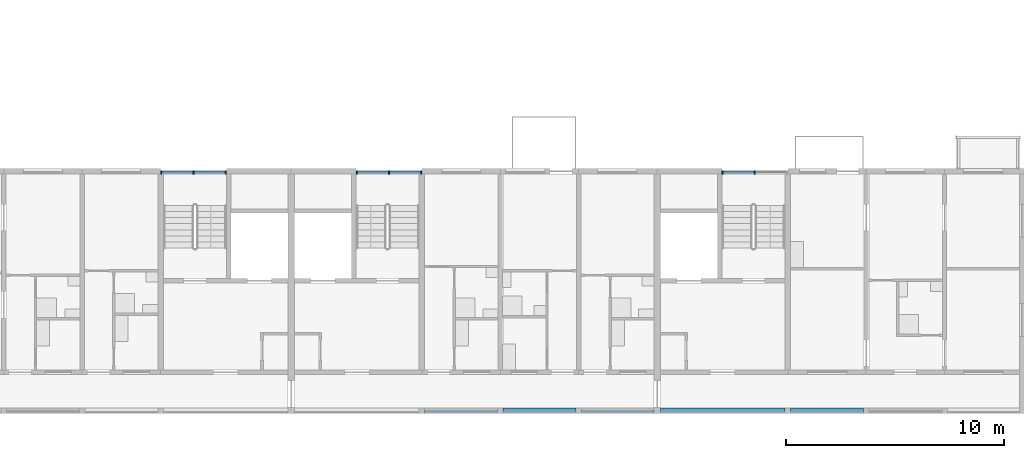
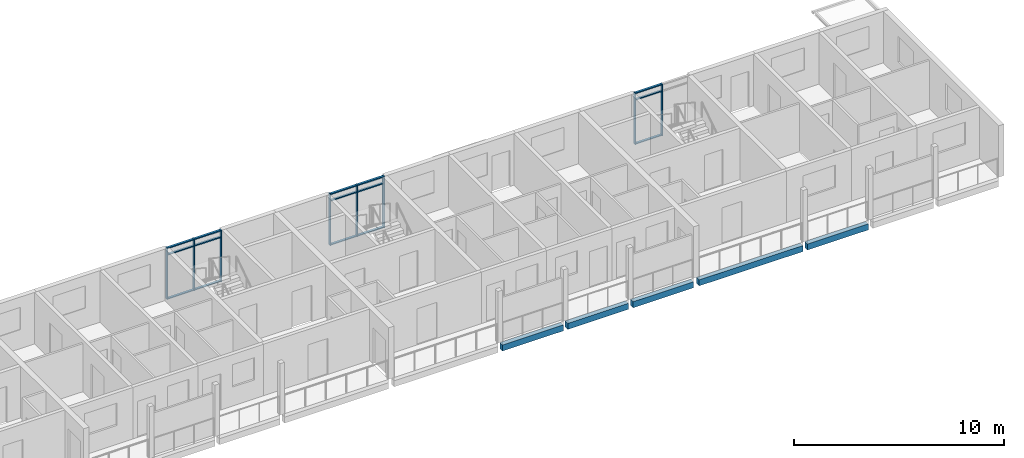
# One storey, part 16 of 93: 23 members, 5 beams, 3 elements without a shape of their own.
"""IFC4 building model written with IfcOpenShell, lengths in metres."""

from ifc_helpers import new_model, si_unit, direction, frame, origin, origin_2d, place, context, subcontext, project, spatial, rectangle, extrude, material, material_profile, profile_set, type_object, element, aggregate, save


model = new_model("IFC4")

# Units and contexts
model_context = context("Model", 3, precision=1e-05, world=origin(), true_north=direction((0.0, 1.0)))
body_context = subcontext(model_context, "Body", "Model", "MODEL_VIEW")
ifc_project = project(units=[si_unit("LENGTHUNIT", "METRE"), si_unit("AREAUNIT", "SQUARE_METRE"), si_unit("VOLUMEUNIT", "CUBIC_METRE"), si_unit("PLANEANGLEUNIT", "RADIAN"), si_unit("MASSUNIT", "GRAM", prefix="KILO")], contexts=[model_context])

# Site, building, storey
site_placement = place(None, origin())
site = spatial("IfcSite", under=ifc_project, at=site_placement, CompositionType="ELEMENT")
building_placement = place(site_placement, origin())
building = spatial("IfcBuilding", under=site, at=building_placement, Name="Ridgestep Commons", CompositionType="ELEMENT")
storey_placement = place(building_placement, frame((0.0, 0.0, 18.0)))
storey = spatial("IfcBuildingStorey", under=building, at=storey_placement, Name="L06", CompositionType="ELEMENT", Elevation=18.0)

# Beams
ifc_material_1 = material(Name="Precast concrete C40/50", Category="concrete")
ifc_material_profile_1 = material_profile(ifc_material_1, rectangle(XDim=0.25, YDim=0.35009765625, at=origin_2d()), Name="PC 250x350")
ifc_profile_set_1 = profile_set([ifc_material_profile_1], Name="Precast concrete C40/50")
beam_type = type_object("IfcBeamType", Name="Loggia edge beam 250 x 350", PredefinedType="SPANDREL", material=ifc_profile_set_1)
beam_1_placement = place(storey_placement, frame((220.125, 11.875, -0.375), z_axis=(1.0, 0.0, 0.0), x_axis=(0.0, 1.0, 0.0)))
element("IfcBeam", 1, at=beam_1_placement, inside=storey, type_object=beam_type, Name="Loggia edge beam D5T3 L06", PredefinedType="SPANDREL", context=body_context, shape_type="SweptSolid", body=[
    extrude(rectangle(XDim=0.25, YDim=0.35009765625, at=origin_2d()), origin(), (0.0, 0.0, 1.0), 3.35009765625),
])
beam_2_placement = place(storey_placement, frame((223.72509765625, 11.875, -0.375), z_axis=(1.0, 0.0, 0.0), x_axis=(0.0, 1.0, 0.0)))
element("IfcBeam", 2, at=beam_2_placement, inside=storey, type_object=beam_type, Name="Loggia edge beam D5T2 L06", PredefinedType="SPANDREL", context=body_context, shape_type="SweptSolid", body=[
    extrude(rectangle(XDim=0.25, YDim=0.35009765625, at=origin_2d()), origin(), (0.0, 0.0, 1.0), 3.349853515625),
])
beam_3_placement = place(storey_placement, frame((227.324951171875, 11.875, -0.375), z_axis=(1.0, 0.0, 0.0), x_axis=(0.0, 1.0, 0.0)))
element("IfcBeam", 3, at=beam_3_placement, inside=storey, type_object=beam_type, Name="Loggia edge beam D5T1 L06", PredefinedType="SPANDREL", context=body_context, shape_type="SweptSolid", body=[
    extrude(rectangle(XDim=0.25, YDim=0.35009765625, at=origin_2d()), origin(), (0.0, 0.0, 1.0), 3.324951171875),
])
beam_4_placement = place(storey_placement, frame((230.949951171875, 11.875, -0.375), z_axis=(1.0, 0.0, 0.0), x_axis=(0.0, 1.0, 0.0)))
element("IfcBeam", 4, at=beam_4_placement, inside=storey, type_object=beam_type, Name="Loggia edge beam D6C L06", PredefinedType="SPANDREL", context=body_context, shape_type="SweptSolid", body=[
    extrude(rectangle(XDim=0.25, YDim=0.35009765625, at=origin_2d()), origin(), (0.0, 0.0, 1.0), 5.72509765625),
])
beam_5_placement = place(storey_placement, frame((236.925048828125, 11.875, -0.375), z_axis=(1.0, 0.0, 0.0), x_axis=(0.0, 1.0, 0.0)))
element("IfcBeam", 5, at=beam_5_placement, inside=storey, type_object=beam_type, Name="Loggia edge beam D6T3 L06", PredefinedType="SPANDREL", context=body_context, shape_type="SweptSolid", body=[
    extrude(rectangle(XDim=0.25, YDim=0.35009765625, at=origin_2d()), origin(), (0.0, 0.0, 1.0), 3.349853515625),
])

# Curtain wall, members
ifc_material_2 = material(Name="Aluminium 6063-T6 and glass", Category="aluminium")
curtain_wall_type = type_object("IfcCurtainWallType", Name="Curtain wall stair strip", PredefinedType="NOTDEFINED", material=ifc_material_2)
curtain_wall_1_placement = place(storey_placement, origin())
curtain_wall_1 = element("IfcCurtainWall", 6, at=curtain_wall_1_placement, inside=storey, type_object=curtain_wall_type, Name="Curtain wall D4C level 06", PredefinedType="NOTDEFINED")
ifc_material_3 = material(Name="Aluminium 6063-T6", Category="aluminium")
ifc_material_profile_2 = material_profile(ifc_material_3, rectangle(XDim=0.159912109375, YDim=0.06005859375, at=origin_2d()), Name="Mullion 60 x 160")
ifc_profile_set_2 = profile_set([ifc_material_profile_2], Name="Aluminium 6063-T6")
member_type_1 = type_object("IfcMemberType", Name="Mullion 60 x 160", PredefinedType="MULLION", material=ifc_profile_set_2)
member_1_placement = place(storey_placement, frame((208.030029296875, 22.830078125, 0.0), z_axis=(0.0, 0.0, 1.0), x_axis=(0.0, 1.0, 0.0)))
member_1 = element("IfcMember", 7, at=member_1_placement, type_object=member_type_1, Name="CW1 mullion 1", PredefinedType="MULLION", context=body_context, shape_type="SweptSolid", body=[
    extrude(rectangle(XDim=0.159912109375, YDim=0.06005859375, at=origin_2d()), origin(), (0.0, 0.0, 1.0), 3.0),
])
member_2_placement = place(storey_placement, frame((209.512451171875, 22.830078125, 0.0), z_axis=(0.0, 0.0, 1.0), x_axis=(0.0, 1.0, 0.0)))
member_2 = element("IfcMember", 8, at=member_2_placement, type_object=member_type_1, Name="CW1 mullion 2", PredefinedType="MULLION", context=body_context, shape_type="SweptSolid", body=[
    extrude(rectangle(XDim=0.159912109375, YDim=0.06005859375, at=origin_2d()), origin(), (0.0, 0.0, 1.0), 3.0),
])
member_3_placement = place(storey_placement, frame((210.9951171875, 22.830078125, 0.0), z_axis=(0.0, 0.0, 1.0), x_axis=(0.0, 1.0, 0.0)))
member_3 = element("IfcMember", 9, at=member_3_placement, type_object=member_type_1, Name="CW1 mullion 3", PredefinedType="MULLION", context=body_context, shape_type="SweptSolid", body=[
    extrude(rectangle(XDim=0.159912109375, YDim=0.06005859375, at=origin_2d()), origin(), (0.0, 0.0, 1.0), 3.0),
])

curtain_wall_2_placement = place(storey_placement, origin())
curtain_wall_2 = element("IfcCurtainWall", 10, at=curtain_wall_2_placement, inside=storey, type_object=curtain_wall_type, Name="Curtain wall D5C level 06", PredefinedType="NOTDEFINED")
member_4_placement = place(storey_placement, frame((217.0048828125, 22.830078125, 0.0), z_axis=(0.0, 0.0, 1.0), x_axis=(0.0, 1.0, 0.0)))
member_4 = element("IfcMember", 11, at=member_4_placement, type_object=member_type_1, Name="CW1 mullion 1", PredefinedType="MULLION", context=body_context, shape_type="SweptSolid", body=[
    extrude(rectangle(XDim=0.159912109375, YDim=0.06005859375, at=origin_2d()), origin(), (0.0, 0.0, 1.0), 3.0),
])
member_5_placement = place(storey_placement, frame((218.487548828125, 22.830078125, 0.0), z_axis=(0.0, 0.0, 1.0), x_axis=(0.0, 1.0, 0.0)))
member_5 = element("IfcMember", 12, at=member_5_placement, type_object=member_type_1, Name="CW1 mullion 2", PredefinedType="MULLION", context=body_context, shape_type="SweptSolid", body=[
    extrude(rectangle(XDim=0.159912109375, YDim=0.06005859375, at=origin_2d()), origin(), (0.0, 0.0, 1.0), 3.0),
])
member_6_placement = place(storey_placement, frame((219.969970703125, 22.830078125, 0.0), z_axis=(0.0, 0.0, 1.0), x_axis=(0.0, 1.0, 0.0)))
member_6 = element("IfcMember", 13, at=member_6_placement, type_object=member_type_1, Name="CW1 mullion 3", PredefinedType="MULLION", context=body_context, shape_type="SweptSolid", body=[
    extrude(rectangle(XDim=0.159912109375, YDim=0.06005859375, at=origin_2d()), origin(), (0.0, 0.0, 1.0), 3.0),
])

curtain_wall_3_placement = place(storey_placement, origin())
curtain_wall_3 = element("IfcCurtainWall", 14, at=curtain_wall_3_placement, inside=storey, type_object=curtain_wall_type, Name="Curtain wall D6C level 06", PredefinedType="NOTDEFINED")
member_7_placement = place(storey_placement, frame((233.804931640625, 22.830078125, 0.0), z_axis=(0.0, 0.0, 1.0), x_axis=(0.0, 1.0, 0.0)))
member_7 = element("IfcMember", 15, at=member_7_placement, type_object=member_type_1, Name="CW1 mullion 1", PredefinedType="MULLION", context=body_context, shape_type="SweptSolid", body=[
    extrude(rectangle(XDim=0.159912109375, YDim=0.06005859375, at=origin_2d()), origin(), (0.0, 0.0, 1.0), 3.0),
])
member_8_placement = place(storey_placement, frame((235.28759765625, 22.830078125, 0.0), z_axis=(0.0, 0.0, 1.0), x_axis=(0.0, 1.0, 0.0)))
member_8 = element("IfcMember", 16, at=member_8_placement, type_object=member_type_1, Name="CW1 mullion 2", PredefinedType="MULLION", context=body_context, shape_type="SweptSolid", body=[
    extrude(rectangle(XDim=0.159912109375, YDim=0.06005859375, at=origin_2d()), origin(), (0.0, 0.0, 1.0), 3.0),
])

# Member
ifc_material_4 = material(Name="Aluminium 6063-T6", Category="aluminium")
ifc_material_profile_3 = material_profile(ifc_material_4, rectangle(XDim=0.1201171875, YDim=0.06005859375, at=origin_2d()), Name="Transom 60 x 120")
ifc_profile_set_3 = profile_set([ifc_material_profile_3], Name="Aluminium 6063-T6")
member_type_2 = type_object("IfcMemberType", Name="Transom 60 x 120", PredefinedType="USERDEFINED", material=ifc_profile_set_3)
member_9_placement = place(storey_placement, frame((208.06005859375, 22.830078125, 0.030029296875), z_axis=(1.0, 0.0, 0.0), x_axis=(0.0, 1.0, 0.0)))
member_9 = element("IfcMember", 17, at=member_9_placement, type_object=member_type_2, Name="CW1 transom 1.1", ObjectType="TRANSOM", PredefinedType="USERDEFINED", context=body_context, shape_type="SweptSolid", body=[
    extrude(rectangle(XDim=0.1201171875, YDim=0.06005859375, at=origin_2d()), origin(), (0.0, 0.0, 1.0), 1.42236328125),
])

member_10_placement = place(storey_placement, frame((208.06005859375, 22.830078125, 2.590087890625), z_axis=(1.0, 0.0, 0.0), x_axis=(0.0, 1.0, 0.0)))
member_10 = element("IfcMember", 18, at=member_10_placement, type_object=member_type_2, Name="CW1 transom 1.2", ObjectType="TRANSOM", PredefinedType="USERDEFINED", context=body_context, shape_type="SweptSolid", body=[
    extrude(rectangle(XDim=0.1201171875, YDim=0.06005859375, at=origin_2d()), origin(), (0.0, 0.0, 1.0), 1.42236328125),
])

member_11_placement = place(storey_placement, frame((208.06005859375, 22.830078125, 2.969970703125), z_axis=(1.0, 0.0, 0.0), x_axis=(0.0, 1.0, 0.0)))
member_11 = element("IfcMember", 19, at=member_11_placement, type_object=member_type_2, Name="CW1 transom 1.3", ObjectType="TRANSOM", PredefinedType="USERDEFINED", context=body_context, shape_type="SweptSolid", body=[
    extrude(rectangle(XDim=0.1201171875, YDim=0.06005859375, at=origin_2d()), origin(), (0.0, 0.0, 1.0), 1.42236328125),
])

member_12_placement = place(storey_placement, frame((209.54248046875, 22.830078125, 0.030029296875), z_axis=(1.0, 0.0, 0.0), x_axis=(0.0, 1.0, 0.0)))
member_12 = element("IfcMember", 20, at=member_12_placement, type_object=member_type_2, Name="CW1 transom 2.1", ObjectType="TRANSOM", PredefinedType="USERDEFINED", context=body_context, shape_type="SweptSolid", body=[
    extrude(rectangle(XDim=0.1201171875, YDim=0.06005859375, at=origin_2d()), origin(), (0.0, 0.0, 1.0), 1.422607421875),
])

member_13_placement = place(storey_placement, frame((209.54248046875, 22.830078125, 2.590087890625), z_axis=(1.0, 0.0, 0.0), x_axis=(0.0, 1.0, 0.0)))
member_13 = element("IfcMember", 21, at=member_13_placement, type_object=member_type_2, Name="CW1 transom 2.2", ObjectType="TRANSOM", PredefinedType="USERDEFINED", context=body_context, shape_type="SweptSolid", body=[
    extrude(rectangle(XDim=0.1201171875, YDim=0.06005859375, at=origin_2d()), origin(), (0.0, 0.0, 1.0), 1.422607421875),
])

member_14_placement = place(storey_placement, frame((209.54248046875, 22.830078125, 2.969970703125), z_axis=(1.0, 0.0, 0.0), x_axis=(0.0, 1.0, 0.0)))
member_14 = element("IfcMember", 22, at=member_14_placement, type_object=member_type_2, Name="CW1 transom 2.3", ObjectType="TRANSOM", PredefinedType="USERDEFINED", context=body_context, shape_type="SweptSolid", body=[
    extrude(rectangle(XDim=0.1201171875, YDim=0.06005859375, at=origin_2d()), origin(), (0.0, 0.0, 1.0), 1.422607421875),
])

aggregate(curtain_wall_1, [member_1, member_2, member_3, member_9, member_10, member_11, member_12, member_13, member_14])

member_15_placement = place(storey_placement, frame((217.034912109375, 22.830078125, 0.030029296875), z_axis=(1.0, 0.0, 0.0), x_axis=(0.0, 1.0, 0.0)))
member_15 = element("IfcMember", 23, at=member_15_placement, type_object=member_type_2, Name="CW1 transom 1.1", ObjectType="TRANSOM", PredefinedType="USERDEFINED", context=body_context, shape_type="SweptSolid", body=[
    extrude(rectangle(XDim=0.1201171875, YDim=0.06005859375, at=origin_2d()), origin(), (0.0, 0.0, 1.0), 1.422607421875),
])

member_16_placement = place(storey_placement, frame((217.034912109375, 22.830078125, 2.590087890625), z_axis=(1.0, 0.0, 0.0), x_axis=(0.0, 1.0, 0.0)))
member_16 = element("IfcMember", 24, at=member_16_placement, type_object=member_type_2, Name="CW1 transom 1.2", ObjectType="TRANSOM", PredefinedType="USERDEFINED", context=body_context, shape_type="SweptSolid", body=[
    extrude(rectangle(XDim=0.1201171875, YDim=0.06005859375, at=origin_2d()), origin(), (0.0, 0.0, 1.0), 1.422607421875),
])

member_17_placement = place(storey_placement, frame((217.034912109375, 22.830078125, 2.969970703125), z_axis=(1.0, 0.0, 0.0), x_axis=(0.0, 1.0, 0.0)))
member_17 = element("IfcMember", 25, at=member_17_placement, type_object=member_type_2, Name="CW1 transom 1.3", ObjectType="TRANSOM", PredefinedType="USERDEFINED", context=body_context, shape_type="SweptSolid", body=[
    extrude(rectangle(XDim=0.1201171875, YDim=0.06005859375, at=origin_2d()), origin(), (0.0, 0.0, 1.0), 1.422607421875),
])

member_18_placement = place(storey_placement, frame((218.517578125, 22.830078125, 0.030029296875), z_axis=(1.0, 0.0, 0.0), x_axis=(0.0, 1.0, 0.0)))
member_18 = element("IfcMember", 26, at=member_18_placement, type_object=member_type_2, Name="CW1 transom 2.1", ObjectType="TRANSOM", PredefinedType="USERDEFINED", context=body_context, shape_type="SweptSolid", body=[
    extrude(rectangle(XDim=0.1201171875, YDim=0.06005859375, at=origin_2d()), origin(), (0.0, 0.0, 1.0), 1.42236328125),
])

member_19_placement = place(storey_placement, frame((218.517578125, 22.830078125, 2.590087890625), z_axis=(1.0, 0.0, 0.0), x_axis=(0.0, 1.0, 0.0)))
member_19 = element("IfcMember", 27, at=member_19_placement, type_object=member_type_2, Name="CW1 transom 2.2", ObjectType="TRANSOM", PredefinedType="USERDEFINED", context=body_context, shape_type="SweptSolid", body=[
    extrude(rectangle(XDim=0.1201171875, YDim=0.06005859375, at=origin_2d()), origin(), (0.0, 0.0, 1.0), 1.42236328125),
])

member_20_placement = place(storey_placement, frame((218.517578125, 22.830078125, 2.969970703125), z_axis=(1.0, 0.0, 0.0), x_axis=(0.0, 1.0, 0.0)))
member_20 = element("IfcMember", 28, at=member_20_placement, type_object=member_type_2, Name="CW1 transom 2.3", ObjectType="TRANSOM", PredefinedType="USERDEFINED", context=body_context, shape_type="SweptSolid", body=[
    extrude(rectangle(XDim=0.1201171875, YDim=0.06005859375, at=origin_2d()), origin(), (0.0, 0.0, 1.0), 1.42236328125),
])

aggregate(curtain_wall_2, [member_4, member_5, member_6, member_15, member_16, member_17, member_18, member_19, member_20])

member_21_placement = place(storey_placement, frame((233.8349609375, 22.830078125, 0.030029296875), z_axis=(1.0, 0.0, 0.0), x_axis=(0.0, 1.0, 0.0)))
member_21 = element("IfcMember", 29, at=member_21_placement, type_object=member_type_2, Name="CW1 transom 1.1", ObjectType="TRANSOM", PredefinedType="USERDEFINED", context=body_context, shape_type="SweptSolid", body=[
    extrude(rectangle(XDim=0.1201171875, YDim=0.06005859375, at=origin_2d()), origin(), (0.0, 0.0, 1.0), 1.422607421875),
])

member_22_placement = place(storey_placement, frame((233.8349609375, 22.830078125, 2.590087890625), z_axis=(1.0, 0.0, 0.0), x_axis=(0.0, 1.0, 0.0)))
member_22 = element("IfcMember", 30, at=member_22_placement, type_object=member_type_2, Name="CW1 transom 1.2", ObjectType="TRANSOM", PredefinedType="USERDEFINED", context=body_context, shape_type="SweptSolid", body=[
    extrude(rectangle(XDim=0.1201171875, YDim=0.06005859375, at=origin_2d()), origin(), (0.0, 0.0, 1.0), 1.422607421875),
])

member_23_placement = place(storey_placement, frame((233.8349609375, 22.830078125, 2.969970703125), z_axis=(1.0, 0.0, 0.0), x_axis=(0.0, 1.0, 0.0)))
member_23 = element("IfcMember", 31, at=member_23_placement, type_object=member_type_2, Name="CW1 transom 1.3", ObjectType="TRANSOM", PredefinedType="USERDEFINED", context=body_context, shape_type="SweptSolid", body=[
    extrude(rectangle(XDim=0.1201171875, YDim=0.06005859375, at=origin_2d()), origin(), (0.0, 0.0, 1.0), 1.422607421875),
])

aggregate(curtain_wall_3, [member_7, member_8, member_21, member_22, member_23])

save(model, "model.ifc")
